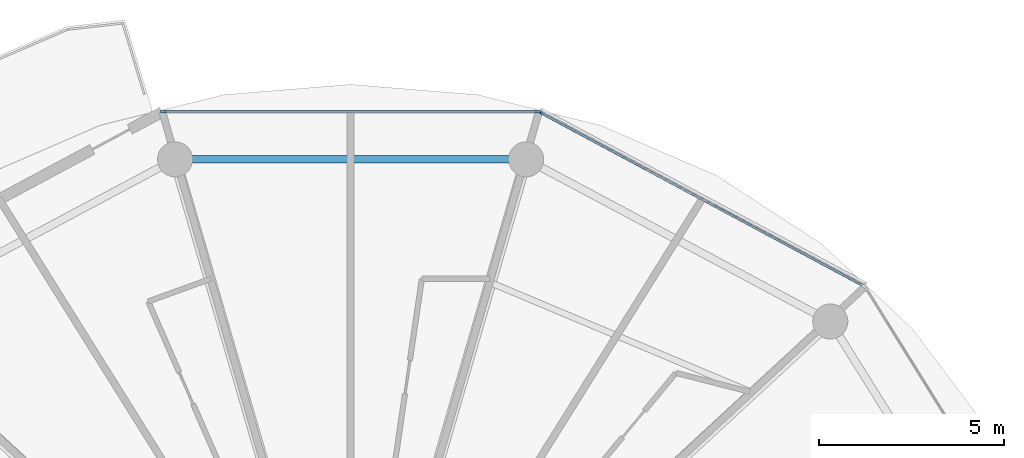
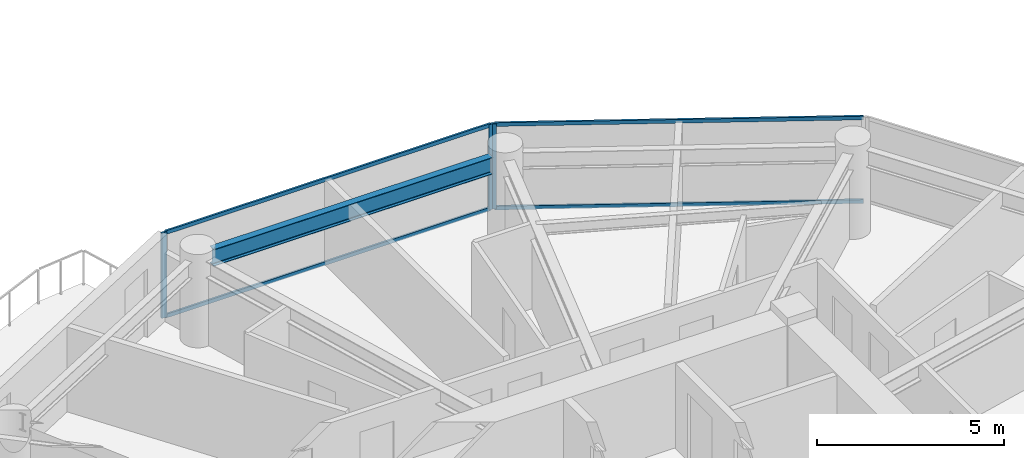
# One storey, part 9 of 27: 7 members, 1 beam, 2 elements without a shape of their own.
"""IFC4 building model written with IfcOpenShell, lengths in metres."""

from ifc_helpers import new_model, si_unit, direction, frame, origin, origin_2d, place, context, subcontext, project, spatial, rectangle, i_section, extrude, source, transform, mapped, material, layer, layer_set, material_profile, profile_set, type_object, type_shapes, element, aggregate, save


model = new_model("IFC4")

# Units and contexts
model_context = context("Model", 3, precision=1e-05, world=origin(), true_north=direction((0.0, 1.0)))
body_context = subcontext(model_context, "Body", "Model", "MODEL_VIEW")
ifc_project = project(units=[si_unit("LENGTHUNIT", "METRE"), si_unit("AREAUNIT", "SQUARE_METRE"), si_unit("VOLUMEUNIT", "CUBIC_METRE"), si_unit("PLANEANGLEUNIT", "RADIAN"), si_unit("MASSUNIT", "GRAM", prefix="KILO")], contexts=[model_context])

# Site, building, storey
site_placement = place(None, origin())
site = spatial("IfcSite", under=ifc_project, at=site_placement, CompositionType="ELEMENT")
building_placement = place(site_placement, origin())
building = spatial("IfcBuilding", under=site, at=building_placement, Name="Norrkilde Senior Care Towers", CompositionType="ELEMENT")
storey_placement = place(building_placement, frame((0.0, 0.0, 33.800048828125)))
storey = spatial("IfcBuildingStorey", under=building, at=storey_placement, Name="L09", CompositionType="ELEMENT", Elevation=33.800048828125)

# Beam
ifc_material_1 = material(Name="Steel S355", Category="steel")
ifc_material_profile_1 = material_profile(ifc_material_1, i_section(OverallWidth=0.2099609375, OverallDepth=0.550048828125, WebThickness=0.010986328125, FlangeThickness=0.01708984375, FilletRadius=0.02392578125, at=origin_2d()), Name="IPE 550")
ifc_profile_set_1 = profile_set([ifc_material_profile_1], Name="Steel S355")
beam_type = type_object("IfcBeamType", Name="Perimeter Ring Spandrel Z1 IPE550", PredefinedType="SPANDREL", material=ifc_profile_set_1)
shared_shape_1 = source(origin(), body_context, "Body", "SweptSolid", [
    extrude(i_section(OverallWidth=0.2099609375, OverallDepth=0.550048828125, WebThickness=0.010986328125, FlangeThickness=0.01708984375, FilletRadius=0.02392578125, at=origin_2d()), origin(), (0.0, 0.0, 1.0), 8.62841796875),
])
type_shapes(beam_type, [shared_shape_1])
beam_placement = place(storey_placement, frame((-23.685791015625, 16.37255859375, 2.514892578125), z_axis=(-1.0, 0.0, 0.0), x_axis=(0.0, -1.0, 0.0)))
element("IfcBeam", 1, at=beam_placement, inside=storey, type_object=beam_type, Name="L09 Drum W Perimeter Spandrel 03", PredefinedType="SPANDREL", context=body_context, shape_type="MappedRepresentation", body=[
    mapped(shared_shape_1, transform((0.0, 0.0, 0.0), x_axis=(1.0, 0.0, 0.0), y_axis=(0.0, 1.0, 0.0), z_axis=(0.0, 0.0, 1.0), scale=1.0)),
])

# Curtain wall, member
ifc_material_2 = material(Name="Triple Low-E Insulated Glazing", Category="glass")
ifc_layer = layer(ifc_material_2, 0.199951171875)
ifc_layer_set = layer_set([ifc_layer], Name="Triple Low-E Insulated Glazing")
curtain_wall_type = type_object("IfcCurtainWallType", Name="CW2 Zone 1 Memory Care Curtain Wall", PredefinedType="NOTDEFINED", material=ifc_layer_set)
curtain_wall_1_placement = place(storey_placement, origin())
curtain_wall_1 = element("IfcCurtainWall", 2, at=curtain_wall_1_placement, inside=storey, type_object=curtain_wall_type, Name="L09 Drum W Curtain Wall 01", PredefinedType="NOTDEFINED")
ifc_material_3 = material(Name="Anodised Aluminium", Category="aluminium")
ifc_material_profile_2 = material_profile(ifc_material_3, rectangle(XDim=0.06494140625, YDim=0.159912109375, at=origin_2d()), Name="ALU MULL 65x160")
ifc_profile_set_2 = profile_set([ifc_material_profile_2], Name="Anodised Aluminium")
member_type_1 = type_object("IfcMemberType", Name="Curtain Wall Mullion Z1-Z2 65x160", PredefinedType="MULLION", material=ifc_profile_set_2)
shared_shape_2 = source(origin(), body_context, "Body", "SweptSolid", [
    extrude(rectangle(XDim=0.06494140625, YDim=0.159912109375, at=origin_2d()), origin(), (0.0, 0.0, 1.0), 2.7900390625),
])
type_shapes(member_type_1, [shared_shape_2])
member_1_placement = place(storey_placement, frame((-22.877685546875, 17.641845703125, 0.0), z_axis=(0.0, 0.0, 1.0), x_axis=(0.472607802456, 0.881272866403, 0.0)))
member_1 = element("IfcMember", 3, at=member_1_placement, type_object=member_type_1, Name="CW-2 mullion 1", PredefinedType="MULLION", context=body_context, shape_type="MappedRepresentation", body=[
    mapped(shared_shape_2, transform((0.0, 0.0, 0.0), x_axis=(1.0, 0.0, 0.0), y_axis=(0.0, 1.0, 0.0), z_axis=(0.0, 0.0, 1.0), scale=1.0)),
])

# Curtain wall, members
curtain_wall_2_placement = place(storey_placement, origin())
curtain_wall_2 = element("IfcCurtainWall", 4, at=curtain_wall_2_placement, inside=storey, type_object=curtain_wall_type, Name="L09 Drum W Curtain Wall 02", PredefinedType="NOTDEFINED")
member_2_placement = place(storey_placement, frame((-33.06103515625, 17.6572265625, 0.0), z_axis=(0.0, 0.0, 1.0), x_axis=(0.0, 1.0, 0.0)))
member_2 = element("IfcMember", 5, at=member_2_placement, type_object=member_type_1, Name="CW-2 mullion 1", PredefinedType="MULLION", context=body_context, shape_type="MappedRepresentation", body=[
    mapped(shared_shape_2, transform((0.0, 0.0, 0.0), x_axis=(1.0, 0.0, 0.0), y_axis=(0.0, 1.0, 0.0), z_axis=(0.0, 0.0, 1.0), scale=1.0)),
])
member_3_placement = place(storey_placement, frame((-22.93896484375, 17.6572265625, 0.0), z_axis=(0.0, 0.0, 1.0), x_axis=(0.0, 1.0, 0.0)))
member_3 = element("IfcMember", 6, at=member_3_placement, type_object=member_type_1, Name="CW-2 mullion 2", PredefinedType="MULLION", context=body_context, shape_type="MappedRepresentation", body=[
    mapped(shared_shape_2, transform((0.0, 0.0, 0.0), x_axis=(1.0, 0.0, 0.0), y_axis=(0.0, 1.0, 0.0), z_axis=(0.0, 0.0, 1.0), scale=1.0)),
])

# Member
ifc_material_profile_3 = material_profile(ifc_material_3, rectangle(XDim=0.06005859375, YDim=0.1201171875, at=origin_2d()), Name="ALU TRAN 60x120")
ifc_profile_set_3 = profile_set([ifc_material_profile_3], Name="Anodised Aluminium")
member_type_2 = type_object("IfcMemberType", Name="Curtain Wall Transom Typical 60x120", PredefinedType="USERDEFINED", material=ifc_profile_set_3)
shared_shape_3 = source(origin(), body_context, "Body", "SweptSolid", [
    extrude(rectangle(XDim=0.06005859375, YDim=0.1201171875, at=origin_2d()), origin(), (0.0, 0.0, 1.0), 9.880859375),
])
member_4_placement = place(storey_placement, frame((-22.84912109375, 17.62646484375, 0.030029296875), z_axis=(0.881267204043, -0.47261836092, 0.0), x_axis=(0.47261836092, 0.881267204043, 0.0)))
member_4 = element("IfcMember", 7, at=member_4_placement, type_object=member_type_2, Name="CW-2 transom 1.1", ObjectType="TRANSOM", PredefinedType="USERDEFINED", context=body_context, shape_type="MappedRepresentation", body=[
    mapped(shared_shape_3, transform((0.0, 0.0, 0.0), x_axis=(1.0, 0.0, 0.0), y_axis=(0.0, 1.0, 0.0), z_axis=(0.0, 0.0, 1.0), scale=1.0)),
])

member_5_placement = place(storey_placement, frame((-22.84912109375, 17.62646484375, 2.760009765625), z_axis=(0.881267204043, -0.47261836092, 0.0), x_axis=(0.47261836092, 0.881267204043, 0.0)))
member_5 = element("IfcMember", 8, at=member_5_placement, type_object=member_type_2, Name="CW-2 transom 1.2", ObjectType="TRANSOM", PredefinedType="USERDEFINED", context=body_context, shape_type="MappedRepresentation", body=[
    mapped(shared_shape_3, transform((0.0, 0.0, 0.0), x_axis=(1.0, 0.0, 0.0), y_axis=(0.0, 1.0, 0.0), z_axis=(0.0, 0.0, 1.0), scale=1.0)),
])

aggregate(curtain_wall_1, [member_1, member_4, member_5])

shared_shape_4 = source(origin(), body_context, "Body", "SweptSolid", [
    extrude(rectangle(XDim=0.06005859375, YDim=0.1201171875, at=origin_2d()), origin(), (0.0, 0.0, 1.0), 10.05712890625),
])
type_shapes(member_type_2, [shared_shape_3, shared_shape_4])
member_6_placement = place(storey_placement, frame((-33.028564453125, 17.6572265625, 0.030029296875), z_axis=(1.0, 0.0, 0.0), x_axis=(0.0, 1.0, 0.0)))
member_6 = element("IfcMember", 9, at=member_6_placement, type_object=member_type_2, Name="CW-2 transom 1.1", ObjectType="TRANSOM", PredefinedType="USERDEFINED", context=body_context, shape_type="MappedRepresentation", body=[
    mapped(shared_shape_4, transform((0.0, 0.0, 0.0), x_axis=(1.0, 0.0, 0.0), y_axis=(0.0, 1.0, 0.0), z_axis=(0.0, 0.0, 1.0), scale=1.0)),
])

member_7_placement = place(storey_placement, frame((-33.028564453125, 17.6572265625, 2.760009765625), z_axis=(1.0, 0.0, 0.0), x_axis=(0.0, 1.0, 0.0)))
member_7 = element("IfcMember", 10, at=member_7_placement, type_object=member_type_2, Name="CW-2 transom 1.2", ObjectType="TRANSOM", PredefinedType="USERDEFINED", context=body_context, shape_type="MappedRepresentation", body=[
    mapped(shared_shape_4, transform((0.0, 0.0, 0.0), x_axis=(1.0, 0.0, 0.0), y_axis=(0.0, 1.0, 0.0), z_axis=(0.0, 0.0, 1.0), scale=1.0)),
])

aggregate(curtain_wall_2, [member_2, member_3, member_6, member_7])

save(model, "model.ifc")
